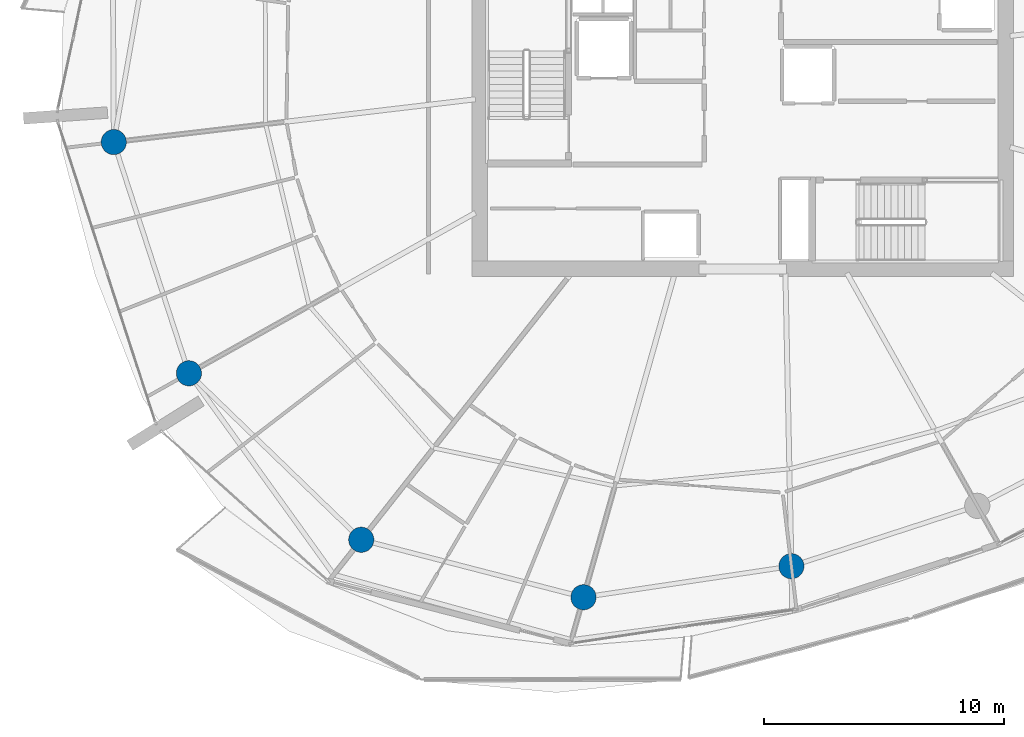
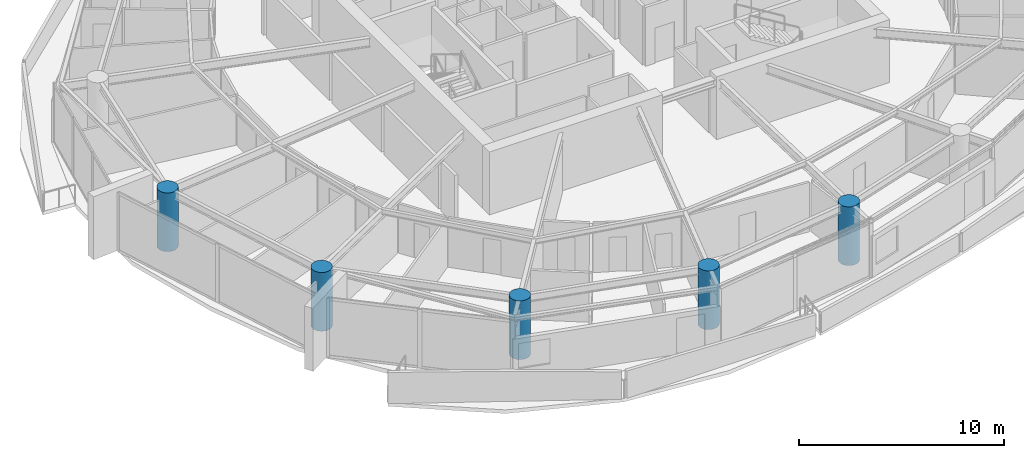
# One storey, part 1 of 20: 5 columns.
"""IFC4 building model written with IfcOpenShell, lengths in metres."""

from ifc_helpers import new_model, si_unit, direction, frame, origin, origin_2d, place, context, subcontext, project, spatial, circle, extrude, material, material_profile, profile_set, type_object, element, save


model = new_model("IFC4")

# Units and contexts
model_context = context("Model", 3, precision=1e-05, world=origin(), true_north=direction((0.0, 1.0)))
body_context = subcontext(model_context, "Body", "Model", "MODEL_VIEW")
ifc_project = project(units=[si_unit("LENGTHUNIT", "METRE"), si_unit("AREAUNIT", "SQUARE_METRE"), si_unit("VOLUMEUNIT", "CUBIC_METRE"), si_unit("PLANEANGLEUNIT", "RADIAN"), si_unit("MASSUNIT", "GRAM", prefix="KILO")], contexts=[model_context])

# Site, building, storey
site_placement = place(None, origin())
site = spatial("IfcSite", under=ifc_project, at=site_placement, CompositionType="ELEMENT")
building_placement = place(site_placement, origin())
building = spatial("IfcBuilding", under=site, at=building_placement, Name="Kazma Halo Residences", CompositionType="ELEMENT")
storey_placement = place(building_placement, frame((0.0, 0.0, 214.050048828125)))
storey = spatial("IfcBuildingStorey", under=building, at=storey_placement, Name="L54", CompositionType="ELEMENT", Elevation=214.050048828125)

# Columns
ifc_material = material(Name="Concrete C80/95", Category="concrete")
ifc_material_profile = material_profile(ifc_material, circle(Radius=0.52490234375, at=origin_2d()), Name="CIRC1050")
ifc_profile_set = profile_set([ifc_material_profile], Name="Concrete C80/95")
column_type = type_object("IfcColumnType", Name="COL-PERIM-1050", PredefinedType="COLUMN", material=ifc_profile_set)
for number, where, z_axis, x_axis, name in (
    (1, (22.248291015625, 38.9521484375, 0.0), (0.0, 0.0, 1.0), (1.0, 0.0, 0.0), "L54 perimeter ring column P08"),
    (2, (25.375, 29.329345703125, 0.0), (0.0, 0.0, 1.0), (1.0, 0.0, 0.0), "L54 perimeter ring column P09"),
    (3, (32.54931640625, 22.401123046875, 0.0), (0.0, 0.0, 1.0), (1.0, 0.0, 0.0), "L54 perimeter ring column P10"),
    (4, (41.797607421875, 20.00830078125, 0.0), (0.0, 0.0, 1.0), (1.0, 0.0, 0.0), "L54 perimeter ring column P11"),
    (5, (50.449951171875, 21.30029296875, 0.0), (0.0, 0.0, 1.0), (1.0, 0.0, 0.0), "L54 perimeter ring column P12"),
):
    element("IfcColumn", number, at=place(storey_placement, frame(where, z_axis=z_axis, x_axis=x_axis)), inside=storey, type_object=column_type, Name=name, PredefinedType="COLUMN", context=body_context, shape_type="SweptSolid", body=[
        extrude(circle(Radius=0.52490234375, at=origin_2d()), origin(), (0.0, 0.0, 1.0), 3.5),
    ])

save(model, "model.ifc")
